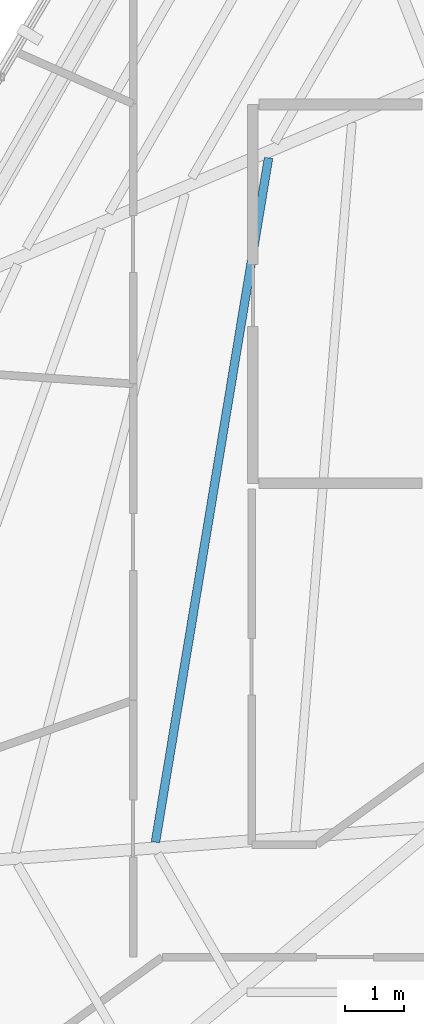
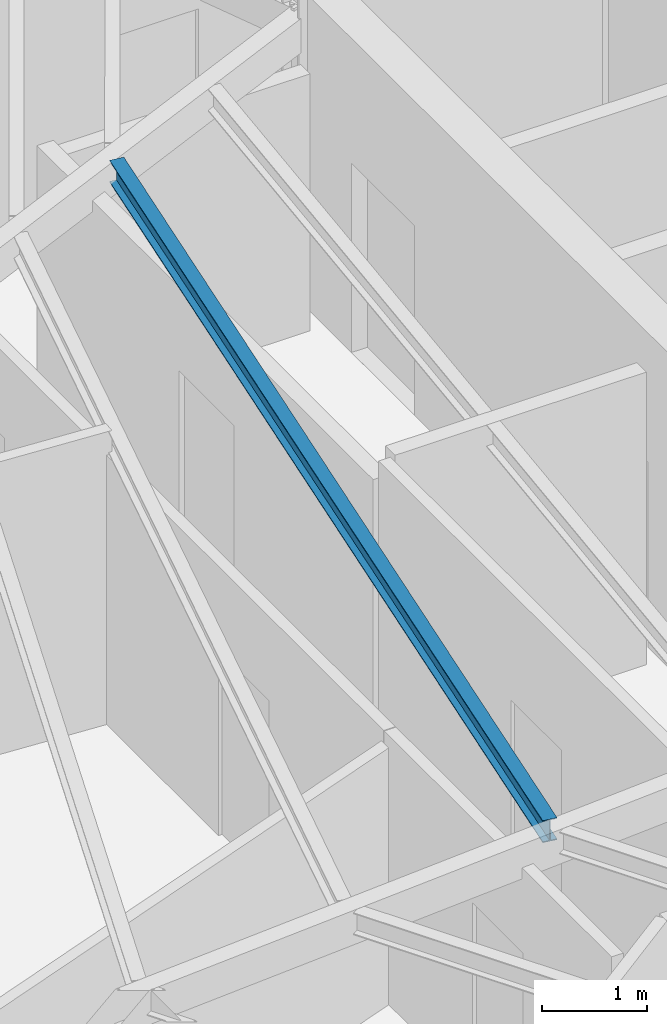
# One storey, part 16 of 46: 1 beam.
"""IFC4 building model written with IfcOpenShell, lengths in metres."""

from ifc_helpers import new_model, si_unit, direction, frame, origin, origin_2d, place, context, subcontext, project, spatial, i_section, extrude, source, transform, mapped, material, material_profile, profile_set, type_object, type_shapes, element, save


model = new_model("IFC4")

# Units and contexts
model_context = context("Model", 3, precision=1e-05, world=origin(), true_north=direction((0.0, 1.0)))
body_context = subcontext(model_context, "Body", "Model", "MODEL_VIEW")
ifc_project = project(units=[si_unit("LENGTHUNIT", "METRE"), si_unit("AREAUNIT", "SQUARE_METRE"), si_unit("VOLUMEUNIT", "CUBIC_METRE"), si_unit("PLANEANGLEUNIT", "RADIAN"), si_unit("MASSUNIT", "GRAM", prefix="KILO")], contexts=[model_context])

# Site, building, storey
site_placement = place(None, origin())
site = spatial("IfcSite", under=ifc_project, at=site_placement, CompositionType="ELEMENT")
building_placement = place(site_placement, origin())
building = spatial("IfcBuilding", under=site, at=building_placement, Name="Caelisora Broadcast Tower", CompositionType="ELEMENT")
storey_placement = place(building_placement, frame((0.0, 0.0, 237.14990234375)))
storey = spatial("IfcBuildingStorey", under=building, at=storey_placement, Name="L62", CompositionType="ELEMENT", Elevation=237.14990234375)

# Beam
ifc_material = material(Name="Steel Grade 350 (AS/NZS 3679.1)", Category="steel")
ifc_material_profile = material_profile(ifc_material, i_section(OverallWidth=0.14599609375, OverallDepth=0.256103515625, WebThickness=0.00634765625, FlangeThickness=0.010986328125, at=origin_2d()), Name="Steel Grade 350 (AS/NZS 3679.1)")
ifc_profile_set = profile_set([ifc_material_profile], Name="Steel Grade 350 (AS/NZS 3679.1)")
beam_type = type_object("IfcBeamType", Name="SB04", PredefinedType="JOIST", material=ifc_profile_set)
shared_shape = source(origin(), body_context, "Body", "SweptSolid", [
    extrude(i_section(OverallWidth=0.14599609375, OverallDepth=0.256103515625, WebThickness=0.00634765625, FlangeThickness=0.010986328125, at=origin_2d()), origin(), (0.0, 0.0, 1.0), 11.712890625),
])
type_shapes(beam_type, [shared_shape])
beam_placement = place(storey_placement, frame((27.685302734375, 28.697998046875, 3.27197265625), z_axis=(-0.163060331853, -0.986616099694, 0.0), x_axis=(0.986616099694, -0.163060331853, 0.0)))
element("IfcBeam", 1, at=beam_placement, inside=storey, type_object=beam_type, Name="L62 beam SB04", PredefinedType="JOIST", context=body_context, shape_type="MappedRepresentation", body=[
    mapped(shared_shape, transform((0.0, 0.0, 0.0), scale=1.0)),
])

save(model, "model.ifc")
